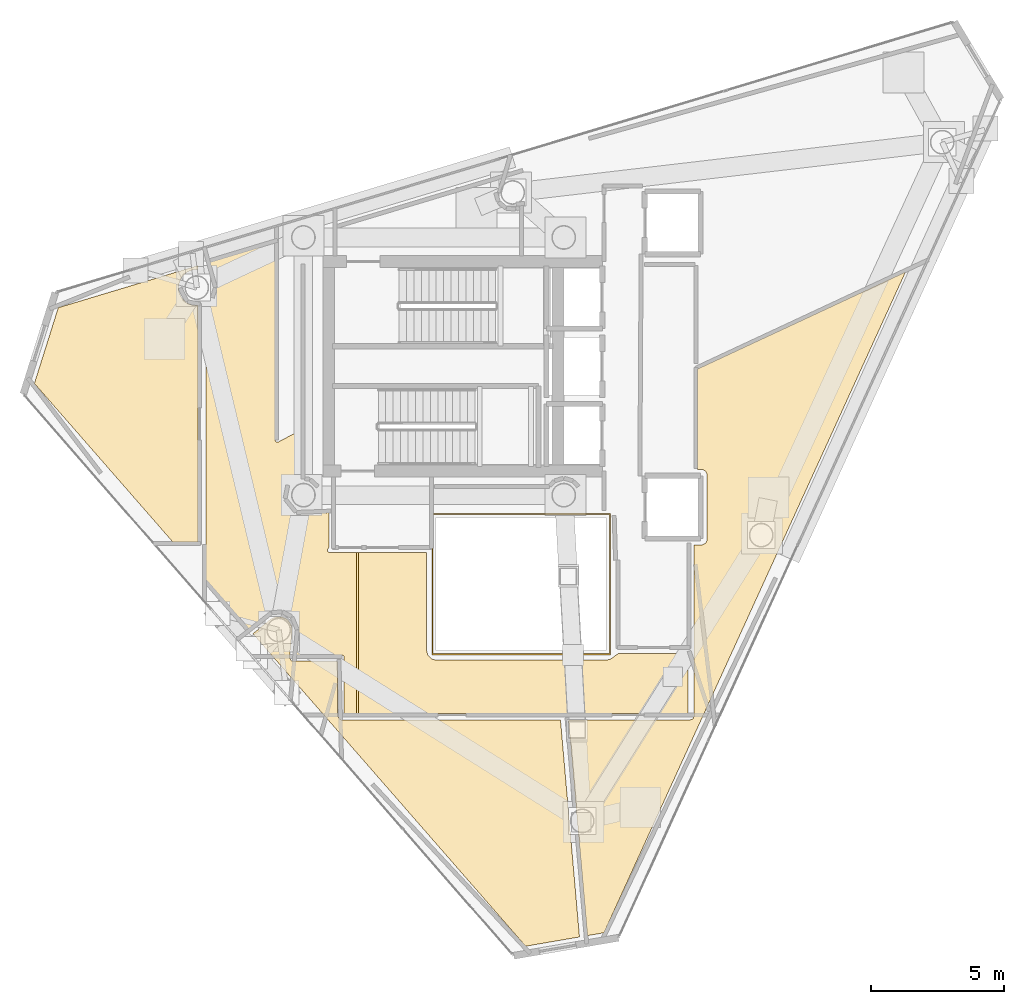
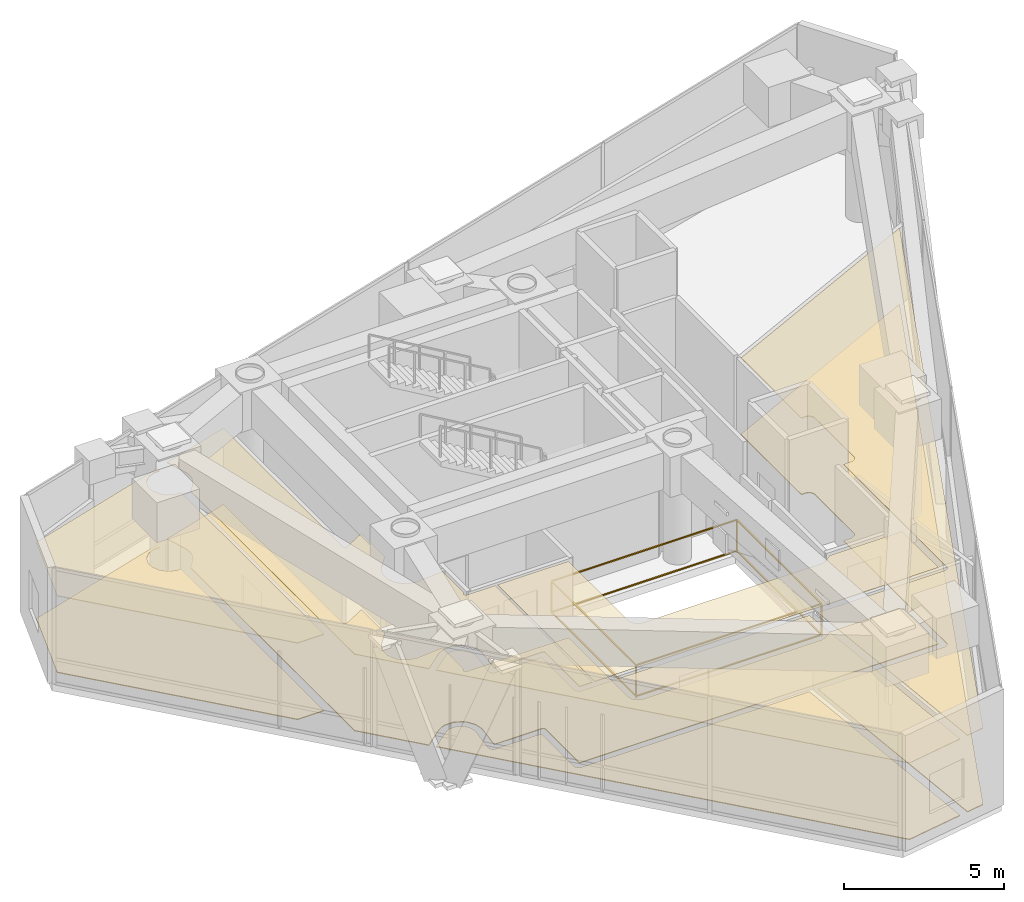
# One storey, part 19 of 20: 9 coverings, 1 railing.
"""IFC4 building model written with IfcOpenShell, lengths in metres."""

from ifc_helpers import new_model, si_unit, direction, frame, origin, origin_2d, place, context, subcontext, project, spatial, polyline, rectangle, outline, extrude, material, layer, layer_set, type_object, element, save


model = new_model("IFC4")

# Units and contexts
model_context = context("Model", 3, precision=1e-05, world=origin(), true_north=direction((0.0, 1.0)))
body_context = subcontext(model_context, "Body", "Model", "MODEL_VIEW")
ifc_project = project(units=[si_unit("LENGTHUNIT", "METRE"), si_unit("AREAUNIT", "SQUARE_METRE"), si_unit("VOLUMEUNIT", "CUBIC_METRE"), si_unit("PLANEANGLEUNIT", "RADIAN"), si_unit("MASSUNIT", "GRAM", prefix="KILO")], contexts=[model_context])

# Site, building, storey
site_placement = place(None, origin())
site = spatial("IfcSite", under=ifc_project, at=site_placement, CompositionType="ELEMENT")
building_placement = place(site_placement, origin())
building = spatial("IfcBuilding", under=site, at=building_placement, Name="Qianvela Tower", CompositionType="ELEMENT")
storey_placement = place(building_placement, frame((0.0, 0.0, 321.300048828125)))
storey = spatial("IfcBuildingStorey", under=building, at=storey_placement, Name="L83", CompositionType="ELEMENT", Elevation=321.300048828125)

# Coverings
ifc_material_1 = material(Name="Perforated Mineral Acoustic Ceiling Tile")
ifc_layer_1 = layer(ifc_material_1, 0.02490234375)
ifc_layer_set_1 = layer_set([ifc_layer_1], Name="Perforated Mineral Acoustic Ceiling Tile")
covering_type_1 = type_object("IfcCoveringType", Name="COV-CEIL-ACOUSTIC-25", PredefinedType="CEILING", material=ifc_layer_set_1)
covering_1_placement = place(storey_placement, frame((0.0, 0.0, 2.9150390625)))
element("IfcCovering", 1, at=covering_1_placement, inside=storey, type_object=covering_type_1, Name="L83 Acoustic Ceiling L83 Fire Refuge Area North", PredefinedType="CEILING", context=body_context, shape_type="SweptSolid", body=[
    extrude(outline(polyline([(19.373779296875, 30.90673828125), (24.639892578125, 32.493408203125), (24.639892578125, 32.33837890625), (24.46923828125, 32.34130859375), (24.461181640625, 32.341064453125), (24.452880859375, 32.33984375), (24.445068359375, 32.337890625), (24.4375, 32.335205078125), (24.217529296875, 32.244140625), (24.21044921875, 32.24072265625), (24.20361328125, 32.23681640625), (24.197509765625, 32.23193359375), (24.19140625, 32.226806640625), (24.023193359375, 32.05859375), (24.01806640625, 32.052490234375), (24.01318359375, 32.04638671875), (24.00927734375, 32.03955078125), (24.005859375, 32.032470703125), (23.914794921875, 31.8125), (23.912109375, 31.80517578125), (23.910400390625, 31.797607421875), (23.9091796875, 31.789794921875), (23.8974609375, 31.6708984375), (23.89697265625, 31.6630859375), (23.8974609375, 31.6552734375), (23.9091796875, 31.5361328125), (23.910400390625, 31.5283203125), (23.912109375, 31.520751953125), (23.914794921875, 31.513427734375), (24.005859375, 31.29345703125), (24.00927734375, 31.286376953125), (24.01318359375, 31.27978515625), (24.01806640625, 31.2734375), (24.023193359375, 31.267578125), (24.19140625, 31.09912109375), (24.197509765625, 31.093994140625), (24.20361328125, 31.08935546875), (24.21044921875, 31.085205078125), (24.217529296875, 31.081787109375), (24.4375, 30.99072265625), (24.445068359375, 30.988037109375), (24.452880859375, 30.986083984375), (24.461181640625, 30.985107421875), (24.46923828125, 30.984619140625), (24.639892578125, 30.987548828125), (24.639892578125, 22.080078125), (23.69091796875, 22.080078125), (18.47509765625, 28.0546875), (19.373779296875, 30.90673828125)])), origin(), (0.0, 0.0, 1.0), 0.02490234375),
])
covering_2_placement = place(storey_placement, frame((0.0, 0.0, 2.9150390625)))
element("IfcCovering", 2, at=covering_2_placement, inside=storey, type_object=covering_type_1, Name="L83 Acoustic Ceiling Bay 1 L83 Mechanical Plant Corridor", PredefinedType="CEILING", context=body_context, shape_type="SweptSolid", body=[
    extrude(outline(polyline([(27.981201171875, 24.27294921875), (27.976318359375, 24.2666015625), (27.972412109375, 24.260009765625), (27.968994140625, 24.252685546875), (27.868896484375, 24.01123046875), (27.8662109375, 24.00390625), (27.864501953125, 23.996337890625), (27.86328125, 23.988525390625), (27.86279296875, 23.980712890625), (27.86279296875, 23.71923828125), (27.86328125, 23.71142578125), (27.864501953125, 23.70361328125), (27.8662109375, 23.696044921875), (27.868896484375, 23.688720703125), (27.968994140625, 23.447265625), (27.972412109375, 23.440185546875), (27.976318359375, 23.433349609375), (27.981201171875, 23.427001953125), (28.064453125, 23.325439453125), (28.069580078125, 23.319580078125), (28.075439453125, 23.314453125), (28.081787109375, 23.309814453125), (28.29931640625, 23.16455078125), (28.305908203125, 23.160400390625), (28.31298828125, 23.156982421875), (28.3203125, 23.154296875), (28.327880859375, 23.152587890625), (28.58447265625, 23.1015625), (28.59228515625, 23.100341796875), (28.60009765625, 23.10009765625), (28.60791015625, 23.100341796875), (29.55810546875, 23.194091796875), (29.55810546875, 21.877685546875), (29.52001953125, 21.82958984375), (29.515380859375, 21.822998046875), (29.51171875, 21.81640625), (29.508544921875, 21.809326171875), (29.506103515625, 21.802001953125), (29.504150390625, 21.794189453125), (29.503173828125, 21.78662109375), (29.5029296875, 21.77880859375), (29.50341796875, 21.77099609375), (29.504638671875, 21.763427734375), (29.506591796875, 21.755859375), (29.50927734375, 21.74853515625), (29.5126953125, 21.74169921875), (29.516845703125, 21.735107421875), (29.521484375, 21.728759765625), (29.52685546875, 21.722900390625), (29.53271484375, 21.7177734375), (29.538818359375, 21.713134765625), (29.54541015625, 21.709228515625), (29.552490234375, 21.7060546875), (29.559814453125, 21.703369140625), (29.5673828125, 21.701416015625), (29.5751953125, 21.700439453125), (29.5830078125, 21.699951171875), (30.597900390625, 21.699951171875), (30.597900390625, 15.6298828125), (30.1298828125, 15.6298828125), (30.1298828125, 17.75), (30.129638671875, 17.7578125), (30.12841796875, 17.765625), (30.126708984375, 17.773193359375), (30.123779296875, 17.780517578125), (30.12060546875, 17.78759765625), (30.116455078125, 17.79443359375), (30.11181640625, 17.80078125), (30.106689453125, 17.806640625), (30.100830078125, 17.811767578125), (30.094482421875, 17.81640625), (30.087646484375, 17.820556640625), (30.08056640625, 17.823974609375), (30.0732421875, 17.82666015625), (30.065673828125, 17.82861328125), (30.057861328125, 17.82958984375), (30.050048828125, 17.830078125), (28.327392578125, 17.830078125), (28.419677734375, 18.76611328125), (28.419921875, 18.77392578125), (28.419677734375, 18.78173828125), (28.41845703125, 18.78955078125), (28.367431640625, 19.0458984375), (28.365478515625, 19.0537109375), (28.36279296875, 19.06103515625), (28.359619140625, 19.068115234375), (28.35546875, 19.07470703125), (28.210205078125, 19.292236328125), (28.20556640625, 19.298583984375), (28.2001953125, 19.30419921875), (28.194580078125, 19.3095703125), (28.093017578125, 19.392822265625), (28.086669921875, 19.397705078125), (28.079833984375, 19.401611328125), (28.07275390625, 19.405029296875), (27.831298828125, 19.5048828125), (27.823974609375, 19.5078125), (27.81640625, 19.509521484375), (27.80859375, 19.5107421875), (27.80078125, 19.510986328125), (27.539306640625, 19.510986328125), (27.531494140625, 19.5107421875), (27.523681640625, 19.509521484375), (27.51611328125, 19.5078125), (27.390380859375, 19.469482421875), (27.383056640625, 19.466796875), (27.3759765625, 19.463623046875), (27.260009765625, 19.401611328125), (27.25341796875, 19.397705078125), (27.2470703125, 19.392822265625), (26.541748046875, 18.814208984375), (24.929931640625, 20.660400390625), (24.929931640625, 30.90380859375), (25.205810546875, 31.239990234375), (25.210693359375, 31.246337890625), (25.214599609375, 31.253173828125), (25.218017578125, 31.26025390625), (25.318115234375, 31.501708984375), (25.32080078125, 31.509033203125), (25.322509765625, 31.5166015625), (25.32373046875, 31.5244140625), (25.336669921875, 31.6552734375), (25.3369140625, 31.6630859375), (25.336669921875, 31.6708984375), (25.32373046875, 31.801513671875), (25.322509765625, 31.809326171875), (25.32080078125, 31.81689453125), (25.07568359375, 32.624755859375), (27.5400390625, 33.3671875), (27.5400390625, 25.921630859375), (27.540283203125, 25.913818359375), (27.54150390625, 25.906005859375), (27.54345703125, 25.898193359375), (27.546142578125, 25.890869140625), (27.54931640625, 25.8837890625), (27.553466796875, 25.877197265625), (27.55810546875, 25.870849609375), (27.5634765625, 25.864990234375), (27.569091796875, 25.859619140625), (27.57568359375, 25.85498046875), (27.582275390625, 25.85107421875), (27.58935546875, 25.84765625), (27.5966796875, 25.844970703125), (27.6044921875, 25.843017578125), (27.6123046875, 25.841796875), (27.6201171875, 25.841552734375), (27.627685546875, 25.841796875), (27.635498046875, 25.843017578125), (27.643310546875, 25.844970703125), (27.650634765625, 25.84765625), (27.65771484375, 25.85107421875), (28.39990234375, 26.247802734375), (28.39990234375, 24.783447265625), (27.981201171875, 24.27294921875)])), origin(), (0.0, 0.0, 1.0), 0.02490234375),
])
covering_3_placement = place(storey_placement, frame((0.0, 0.0, 2.9150390625)))
element("IfcCovering", 3, at=covering_3_placement, inside=storey, type_object=covering_type_1, Name="L83 Acoustic Ceiling Bay 2 L83 Mechanical Plant Corridor", PredefinedType="CEILING", context=body_context, shape_type="SweptSolid", body=[
    extrude(outline(polyline([(33.239990234375, 21.699951171875), (33.239990234375, 18.0), (33.240478515625, 17.990234375), (33.242431640625, 17.980712890625), (33.275390625, 17.8486328125), (33.277587890625, 17.841796875), (33.2802734375, 17.8349609375), (33.283447265625, 17.82861328125), (33.287353515625, 17.822509765625), (33.29150390625, 17.81689453125), (33.29638671875, 17.811279296875), (33.411376953125, 17.696533203125), (33.41796875, 17.690673828125), (33.4248046875, 17.685791015625), (33.432373046875, 17.681396484375), (33.440185546875, 17.677978515625), (33.448486328125, 17.675537109375), (33.58056640625, 17.642333984375), (33.5869140625, 17.64111328125), (33.593505859375, 17.640380859375), (33.60009765625, 17.639892578125), (40.0, 17.639892578125), (40.006591796875, 17.640380859375), (40.012939453125, 17.64111328125), (40.019287109375, 17.642333984375), (40.1513671875, 17.675537109375), (40.15869140625, 17.677734375), (40.166015625, 17.6806640625), (40.172607421875, 17.68408203125), (40.17919921875, 17.6884765625), (40.459228515625, 17.89306640625), (43.070068359375, 17.89990234375), (43.070068359375, 15.6298828125), (30.677978515625, 15.6298828125), (30.677978515625, 21.699951171875), (33.239990234375, 21.699951171875)])), origin(), (0.0, 0.0, 1.0), 0.02490234375),
])
covering_4_placement = place(storey_placement, frame((0.0, 0.0, 2.9150390625)))
element("IfcCovering", 4, at=covering_4_placement, inside=storey, type_object=covering_type_1, Name="L83 Acoustic Ceiling L83 Fire Refuge Area 3", PredefinedType="CEILING", context=body_context, shape_type="SweptSolid", body=[
    extrude(outline(polyline([(38.578857421875, 15.389892578125), (43.14990234375, 15.389892578125), (43.15771484375, 15.390380859375), (43.16552734375, 15.3916015625), (43.173095703125, 15.393310546875), (43.1806640625, 15.39599609375), (43.2373046875, 15.41943359375), (43.244873046875, 15.423095703125), (43.251953125, 15.427490234375), (43.258544921875, 15.4326171875), (43.2646484375, 15.4384765625), (43.270263671875, 15.44482421875), (43.27490234375, 15.451904296875), (43.27880859375, 15.459228515625), (43.302001953125, 15.508056640625), (43.3046875, 15.514404296875), (43.306884765625, 15.521240234375), (43.308349609375, 15.528076171875), (43.309326171875, 15.53515625), (43.3095703125, 15.542236328125), (43.309326171875, 21.980712890625), (43.60791015625, 21.982666015625), (43.615478515625, 21.983154296875), (43.623291015625, 21.984375), (43.630859375, 21.986083984375), (43.637939453125, 21.98876953125), (43.64501953125, 21.9921875), (43.716796875, 22.030517578125), (43.723388671875, 22.034423828125), (43.729736328125, 22.039306640625), (43.735595703125, 22.04443359375), (43.74072265625, 22.05029296875), (43.74560546875, 22.056640625), (43.74951171875, 22.063232421875), (43.787841796875, 22.135009765625), (43.791259765625, 22.14208984375), (43.7939453125, 22.1494140625), (43.7958984375, 22.156982421875), (43.796875, 22.164794921875), (43.79736328125, 22.172607421875), (43.79736328125, 24.627197265625), (43.797119140625, 24.634521484375), (43.7958984375, 24.6416015625), (43.79443359375, 24.648681640625), (43.792236328125, 24.655517578125), (43.789306640625, 24.662109375), (43.785888671875, 24.66845703125), (43.7373046875, 24.749267578125), (43.732666015625, 24.75634765625), (43.727294921875, 24.762939453125), (43.72119140625, 24.768798828125), (43.71435546875, 24.77392578125), (43.70703125, 24.778564453125), (43.699462890625, 24.781982421875), (43.624267578125, 24.813232421875), (43.616943359375, 24.81591796875), (43.609375, 24.81787109375), (43.6015625, 24.81884765625), (43.59375, 24.8193359375), (43.423828125, 24.8193359375), (43.423828125, 24.8193359375), (43.426513671875, 24.826904296875), (43.428466796875, 24.83447265625), (43.4296875, 24.84228515625), (43.429931640625, 24.85009765625), (43.429931640625, 28.599609375), (51.26513671875, 32.25341796875), (39.914306640625, 7.377197265625), (39.289306640625, 7.27001953125), (38.578857421875, 15.389892578125)])), origin(), (0.0, 0.0, 1.0), 0.02490234375),
])
covering_5_placement = place(storey_placement, frame((0.0, 0.0, 2.9150390625)))
element("IfcCovering", 5, at=covering_5_placement, inside=storey, type_object=covering_type_1, Name="L83 Acoustic Ceiling L83 Air Handling and Smoke Exhaust Plant Room", PredefinedType="CEILING", context=body_context, shape_type="SweptSolid", body=[
    extrude(outline(polyline([(26.69970703125, 18.63330078125), (27.384033203125, 19.19482421875), (27.567138671875, 19.27099609375), (27.768798828125, 19.27099609375), (27.958984375, 19.1923828125), (28.02392578125, 19.13916015625), (28.13818359375, 18.968017578125), (28.178466796875, 18.76611328125), (28.079833984375, 17.765625), (28.07958984375, 17.758544921875), (28.079833984375, 17.751220703125), (28.080810546875, 17.744140625), (28.082275390625, 17.737060546875), (28.08447265625, 17.730224609375), (28.087158203125, 17.7236328125), (28.122314453125, 17.6494140625), (28.126220703125, 17.64208984375), (28.130859375, 17.63525390625), (28.135986328125, 17.629150390625), (28.141845703125, 17.623291015625), (28.148193359375, 17.618408203125), (28.155029296875, 17.614013671875), (28.162353515625, 17.6103515625), (28.169921875, 17.607421875), (28.177978515625, 17.605224609375), (28.18603515625, 17.60400390625), (28.194091796875, 17.603515625), (29.889892578125, 17.590576171875), (29.889892578125, 15.550048828125), (29.890380859375, 15.54150390625), (29.891845703125, 15.533203125), (29.89404296875, 15.52490234375), (29.897216796875, 15.51708984375), (29.90087890625, 15.509521484375), (29.90576171875, 15.502197265625), (29.96240234375, 15.42578125), (29.9677734375, 15.41943359375), (29.9736328125, 15.41357421875), (29.980224609375, 15.408447265625), (29.987060546875, 15.404052734375), (29.994384765625, 15.400146484375), (30.002197265625, 15.397216796875), (30.01025390625, 15.395263671875), (30.0185546875, 15.393798828125), (30.026611328125, 15.393310546875), (38.277587890625, 15.389892578125), (38.992431640625, 7.21923828125), (36.96728515625, 6.871826171875), (26.69970703125, 18.63330078125)])), origin(), (0.0, 0.0, 1.0), 0.02490234375),
])
ifc_material_2 = material(Name="Honed Stone Terrazzo Flooring", Category="masonry")
ifc_layer_2 = layer(ifc_material_2, 0.030029296875)
ifc_layer_set_2 = layer_set([ifc_layer_2], Name="Honed Stone Terrazzo Flooring")
covering_type_2 = type_object("IfcCoveringType", Name="COV-FLOOR-TERRAZZO-30", PredefinedType="FLOORING", material=ifc_layer_set_2)
covering_6_placement = place(storey_placement, origin())
element("IfcCovering", 6, at=covering_6_placement, inside=storey, type_object=covering_type_2, Name="L83 Finish Flooring L83 Fire Refuge Area North", PredefinedType="FLOORING", context=body_context, shape_type="SweptSolid", body=[
    extrude(outline(polyline([(19.373779296875, 30.90673828125), (24.639892578125, 32.493408203125), (24.639892578125, 32.33837890625), (24.46923828125, 32.34130859375), (24.461181640625, 32.341064453125), (24.452880859375, 32.33984375), (24.445068359375, 32.337890625), (24.4375, 32.335205078125), (24.217529296875, 32.244140625), (24.21044921875, 32.24072265625), (24.20361328125, 32.23681640625), (24.197509765625, 32.23193359375), (24.19140625, 32.226806640625), (24.023193359375, 32.05859375), (24.01806640625, 32.052490234375), (24.01318359375, 32.04638671875), (24.00927734375, 32.03955078125), (24.005859375, 32.032470703125), (23.914794921875, 31.8125), (23.912109375, 31.80517578125), (23.910400390625, 31.797607421875), (23.9091796875, 31.789794921875), (23.8974609375, 31.6708984375), (23.89697265625, 31.6630859375), (23.8974609375, 31.6552734375), (23.9091796875, 31.5361328125), (23.910400390625, 31.5283203125), (23.912109375, 31.520751953125), (23.914794921875, 31.513427734375), (24.005859375, 31.29345703125), (24.00927734375, 31.286376953125), (24.01318359375, 31.27978515625), (24.01806640625, 31.2734375), (24.023193359375, 31.267578125), (24.19140625, 31.09912109375), (24.197509765625, 31.093994140625), (24.20361328125, 31.08935546875), (24.21044921875, 31.085205078125), (24.217529296875, 31.081787109375), (24.4375, 30.99072265625), (24.445068359375, 30.988037109375), (24.452880859375, 30.986083984375), (24.461181640625, 30.985107421875), (24.46923828125, 30.984619140625), (24.639892578125, 30.987548828125), (24.639892578125, 22.080078125), (23.69091796875, 22.080078125), (18.47509765625, 28.0546875), (19.373779296875, 30.90673828125)])), origin(), (0.0, 0.0, 1.0), 0.030029296875),
])
covering_7_placement = place(storey_placement, origin())
element("IfcCovering", 7, at=covering_7_placement, inside=storey, type_object=covering_type_2, Name="L83 Finish Flooring L83 Mechanical Plant Corridor", PredefinedType="FLOORING", context=body_context, shape_type="SweptSolid", body=[
    extrude(outline(polyline([(28.39990234375, 24.783447265625), (27.981201171875, 24.27294921875), (27.976318359375, 24.2666015625), (27.972412109375, 24.260009765625), (27.968994140625, 24.252685546875), (27.868896484375, 24.01123046875), (27.8662109375, 24.00390625), (27.864501953125, 23.996337890625), (27.86328125, 23.988525390625), (27.86279296875, 23.980712890625), (27.86279296875, 23.71923828125), (27.86328125, 23.71142578125), (27.864501953125, 23.70361328125), (27.8662109375, 23.696044921875), (27.868896484375, 23.688720703125), (27.968994140625, 23.447265625), (27.972412109375, 23.440185546875), (27.976318359375, 23.433349609375), (27.981201171875, 23.427001953125), (28.064453125, 23.325439453125), (28.069580078125, 23.319580078125), (28.075439453125, 23.314453125), (28.081787109375, 23.309814453125), (28.29931640625, 23.16455078125), (28.305908203125, 23.160400390625), (28.31298828125, 23.156982421875), (28.3203125, 23.154296875), (28.327880859375, 23.152587890625), (28.58447265625, 23.1015625), (28.59228515625, 23.100341796875), (28.60009765625, 23.10009765625), (28.60791015625, 23.100341796875), (29.55810546875, 23.194091796875), (29.55810546875, 21.877685546875), (29.52001953125, 21.82958984375), (29.515380859375, 21.822998046875), (29.51171875, 21.81640625), (29.508544921875, 21.809326171875), (29.506103515625, 21.802001953125), (29.504150390625, 21.794189453125), (29.503173828125, 21.78662109375), (29.5029296875, 21.77880859375), (29.50341796875, 21.77099609375), (29.504638671875, 21.763427734375), (29.506591796875, 21.755859375), (29.50927734375, 21.74853515625), (29.5126953125, 21.74169921875), (29.516845703125, 21.735107421875), (29.521484375, 21.728759765625), (29.52685546875, 21.722900390625), (29.53271484375, 21.7177734375), (29.538818359375, 21.713134765625), (29.54541015625, 21.709228515625), (29.552490234375, 21.7060546875), (29.559814453125, 21.703369140625), (29.5673828125, 21.701416015625), (29.5751953125, 21.700439453125), (29.5830078125, 21.699951171875), (33.239990234375, 21.699951171875), (33.239990234375, 18.0), (33.240478515625, 17.990234375), (33.242431640625, 17.980712890625), (33.275390625, 17.8486328125), (33.277587890625, 17.841796875), (33.2802734375, 17.8349609375), (33.283447265625, 17.82861328125), (33.287353515625, 17.822509765625), (33.29150390625, 17.81689453125), (33.29638671875, 17.811279296875), (33.411376953125, 17.696533203125), (33.41796875, 17.690673828125), (33.4248046875, 17.685791015625), (33.432373046875, 17.681396484375), (33.440185546875, 17.677978515625), (33.448486328125, 17.675537109375), (33.58056640625, 17.642333984375), (33.5869140625, 17.64111328125), (33.593505859375, 17.640380859375), (33.60009765625, 17.639892578125), (40.0, 17.639892578125), (40.006591796875, 17.640380859375), (40.012939453125, 17.64111328125), (40.019287109375, 17.642333984375), (40.1513671875, 17.675537109375), (40.15869140625, 17.677734375), (40.166015625, 17.6806640625), (40.172607421875, 17.68408203125), (40.17919921875, 17.6884765625), (40.459228515625, 17.89306640625), (43.070068359375, 17.89990234375), (43.070068359375, 15.6298828125), (30.1298828125, 15.6298828125), (30.1298828125, 17.75), (30.129638671875, 17.7578125), (30.12841796875, 17.765625), (30.126708984375, 17.773193359375), (30.123779296875, 17.780517578125), (30.12060546875, 17.78759765625), (30.116455078125, 17.79443359375), (30.11181640625, 17.80078125), (30.106689453125, 17.806640625), (30.100830078125, 17.811767578125), (30.094482421875, 17.81640625), (30.087646484375, 17.820556640625), (30.08056640625, 17.823974609375), (30.0732421875, 17.82666015625), (30.065673828125, 17.82861328125), (30.057861328125, 17.82958984375), (30.050048828125, 17.830078125), (28.327392578125, 17.830078125), (28.419677734375, 18.76611328125), (28.419921875, 18.77392578125), (28.419677734375, 18.78173828125), (28.41845703125, 18.78955078125), (28.367431640625, 19.0458984375), (28.365478515625, 19.0537109375), (28.36279296875, 19.06103515625), (28.359619140625, 19.068115234375), (28.35546875, 19.07470703125), (28.210205078125, 19.292236328125), (28.20556640625, 19.298583984375), (28.2001953125, 19.30419921875), (28.194580078125, 19.3095703125), (28.093017578125, 19.392822265625), (28.086669921875, 19.397705078125), (28.079833984375, 19.401611328125), (28.07275390625, 19.405029296875), (27.831298828125, 19.5048828125), (27.823974609375, 19.5078125), (27.81640625, 19.509521484375), (27.80859375, 19.5107421875), (27.80078125, 19.510986328125), (27.539306640625, 19.510986328125), (27.531494140625, 19.5107421875), (27.523681640625, 19.509521484375), (27.51611328125, 19.5078125), (27.390380859375, 19.469482421875), (27.383056640625, 19.466796875), (27.3759765625, 19.463623046875), (27.260009765625, 19.401611328125), (27.25341796875, 19.397705078125), (27.2470703125, 19.392822265625), (26.541748046875, 18.814208984375), (24.929931640625, 20.660400390625), (24.929931640625, 30.90380859375), (25.205810546875, 31.239990234375), (25.210693359375, 31.246337890625), (25.214599609375, 31.253173828125), (25.218017578125, 31.26025390625), (25.318115234375, 31.501708984375), (25.32080078125, 31.509033203125), (25.322509765625, 31.5166015625), (25.32373046875, 31.5244140625), (25.336669921875, 31.6552734375), (25.3369140625, 31.6630859375), (25.336669921875, 31.6708984375), (25.32373046875, 31.801513671875), (25.322509765625, 31.809326171875), (25.32080078125, 31.81689453125), (25.07568359375, 32.624755859375), (27.5400390625, 33.3671875), (27.5400390625, 25.921630859375), (27.540283203125, 25.913818359375), (27.54150390625, 25.906005859375), (27.54345703125, 25.898193359375), (27.546142578125, 25.890869140625), (27.54931640625, 25.8837890625), (27.553466796875, 25.877197265625), (27.55810546875, 25.870849609375), (27.5634765625, 25.864990234375), (27.569091796875, 25.859619140625), (27.57568359375, 25.85498046875), (27.582275390625, 25.85107421875), (27.58935546875, 25.84765625), (27.5966796875, 25.844970703125), (27.6044921875, 25.843017578125), (27.6123046875, 25.841796875), (27.6201171875, 25.841552734375), (27.627685546875, 25.841796875), (27.635498046875, 25.843017578125), (27.643310546875, 25.844970703125), (27.650634765625, 25.84765625), (27.65771484375, 25.85107421875), (28.39990234375, 26.247802734375), (28.39990234375, 24.783447265625)])), origin(), (0.0, 0.0, 1.0), 0.030029296875),
])
covering_8_placement = place(storey_placement, origin())
element("IfcCovering", 8, at=covering_8_placement, inside=storey, type_object=covering_type_2, Name="L83 Finish Flooring L83 Fire Refuge Area 3", PredefinedType="FLOORING", context=body_context, shape_type="SweptSolid", body=[
    extrude(outline(polyline([(38.578857421875, 15.389892578125), (43.14990234375, 15.389892578125), (43.15771484375, 15.390380859375), (43.16552734375, 15.3916015625), (43.173095703125, 15.393310546875), (43.1806640625, 15.39599609375), (43.2373046875, 15.41943359375), (43.244873046875, 15.423095703125), (43.251953125, 15.427490234375), (43.258544921875, 15.4326171875), (43.2646484375, 15.4384765625), (43.270263671875, 15.44482421875), (43.27490234375, 15.451904296875), (43.27880859375, 15.459228515625), (43.302001953125, 15.508056640625), (43.3046875, 15.514404296875), (43.306884765625, 15.521240234375), (43.308349609375, 15.528076171875), (43.309326171875, 15.53515625), (43.3095703125, 15.542236328125), (43.309326171875, 21.980712890625), (43.60791015625, 21.982666015625), (43.615478515625, 21.983154296875), (43.623291015625, 21.984375), (43.630859375, 21.986083984375), (43.637939453125, 21.98876953125), (43.64501953125, 21.9921875), (43.716796875, 22.030517578125), (43.723388671875, 22.034423828125), (43.729736328125, 22.039306640625), (43.735595703125, 22.04443359375), (43.74072265625, 22.05029296875), (43.74560546875, 22.056640625), (43.74951171875, 22.063232421875), (43.787841796875, 22.135009765625), (43.791259765625, 22.14208984375), (43.7939453125, 22.1494140625), (43.7958984375, 22.156982421875), (43.796875, 22.164794921875), (43.79736328125, 22.172607421875), (43.79736328125, 24.627197265625), (43.797119140625, 24.634521484375), (43.7958984375, 24.6416015625), (43.79443359375, 24.648681640625), (43.792236328125, 24.655517578125), (43.789306640625, 24.662109375), (43.785888671875, 24.66845703125), (43.7373046875, 24.749267578125), (43.732666015625, 24.75634765625), (43.727294921875, 24.762939453125), (43.72119140625, 24.768798828125), (43.71435546875, 24.77392578125), (43.70703125, 24.778564453125), (43.699462890625, 24.781982421875), (43.624267578125, 24.813232421875), (43.616943359375, 24.81591796875), (43.609375, 24.81787109375), (43.6015625, 24.81884765625), (43.59375, 24.8193359375), (43.423828125, 24.8193359375), (43.423828125, 24.8193359375), (43.426513671875, 24.826904296875), (43.428466796875, 24.83447265625), (43.4296875, 24.84228515625), (43.429931640625, 24.85009765625), (43.429931640625, 28.599609375), (51.26513671875, 32.25341796875), (39.914306640625, 7.377197265625), (39.289306640625, 7.27001953125), (38.578857421875, 15.389892578125)])), origin(), (0.0, 0.0, 1.0), 0.030029296875),
])
covering_9_placement = place(storey_placement, origin())
element("IfcCovering", 9, at=covering_9_placement, inside=storey, type_object=covering_type_2, Name="L83 Finish Flooring L83 Air Handling and Smoke Exhaust Plant Room", PredefinedType="FLOORING", context=body_context, shape_type="SweptSolid", body=[
    extrude(outline(polyline([(26.69970703125, 18.63330078125), (27.384033203125, 19.19482421875), (27.567138671875, 19.27099609375), (27.768798828125, 19.27099609375), (27.958984375, 19.1923828125), (28.02392578125, 19.13916015625), (28.13818359375, 18.968017578125), (28.178466796875, 18.76611328125), (28.079833984375, 17.765625), (28.07958984375, 17.758544921875), (28.079833984375, 17.751220703125), (28.080810546875, 17.744140625), (28.082275390625, 17.737060546875), (28.08447265625, 17.730224609375), (28.087158203125, 17.7236328125), (28.122314453125, 17.6494140625), (28.126220703125, 17.64208984375), (28.130859375, 17.63525390625), (28.135986328125, 17.629150390625), (28.141845703125, 17.623291015625), (28.148193359375, 17.618408203125), (28.155029296875, 17.614013671875), (28.162353515625, 17.6103515625), (28.169921875, 17.607421875), (28.177978515625, 17.605224609375), (28.18603515625, 17.60400390625), (28.194091796875, 17.603515625), (29.889892578125, 17.590576171875), (29.889892578125, 15.550048828125), (29.890380859375, 15.54150390625), (29.891845703125, 15.533203125), (29.89404296875, 15.52490234375), (29.897216796875, 15.51708984375), (29.90087890625, 15.509521484375), (29.90576171875, 15.502197265625), (29.96240234375, 15.42578125), (29.9677734375, 15.41943359375), (29.9736328125, 15.41357421875), (29.980224609375, 15.408447265625), (29.987060546875, 15.404052734375), (29.994384765625, 15.400146484375), (30.002197265625, 15.397216796875), (30.01025390625, 15.395263671875), (30.0185546875, 15.393798828125), (30.026611328125, 15.393310546875), (38.277587890625, 15.389892578125), (38.992431640625, 7.21923828125), (36.96728515625, 6.871826171875), (26.69970703125, 18.63330078125)])), origin(), (0.0, 0.0, 1.0), 0.030029296875),
])

# Railing
ifc_material_3 = material(Name="Laminated Safety Glass and Stainless Steel 316", Category="steel")
railing_type = type_object("IfcRailingType", Name="RL-ATRIUM-GUARD-1250", PredefinedType="GUARDRAIL", material=ifc_material_3)
railing_placement = place(storey_placement, frame((33.4599609375, 17.860107421875, 0.0)))
element("IfcRailing", 10, at=railing_placement, inside=storey, type_object=railing_type, Name="L83 Atrium Edge Guardrail 1", PredefinedType="GUARDRAIL", context=body_context, shape_type="SweptSolid", body=[
    extrude(rectangle(XDim=0.050048828125, YDim=0.0400390625, at=origin_2d()), frame((0.0, 0.0, 1.22998046875), z_axis=(0.0, 1.0, 0.0), x_axis=(-1.0, 0.0, 0.0)), (0.0, 0.0, 1.0), 5.27978515625),
    extrude(rectangle(XDim=0.050048828125, YDim=0.0400390625, at=origin_2d()), frame((0.0, 0.0, 0.050048828125), z_axis=(0.0, 1.0, 0.0), x_axis=(-1.0, 0.0, 0.0)), (0.0, 0.0, 1.0), 5.27978515625),
    extrude(rectangle(XDim=0.050048828125, YDim=0.0400390625, at=origin_2d()), frame((0.0, 5.27978515625, 1.22998046875), z_axis=(1.0, 0.0, 0.0), x_axis=(0.0, 1.0, 0.0)), (0.0, 0.0, 1.0), 6.679931640625),
    extrude(rectangle(XDim=0.050048828125, YDim=0.0400390625, at=origin_2d()), frame((0.0, 5.27978515625, 0.050048828125), z_axis=(1.0, 0.0, 0.0), x_axis=(0.0, 1.0, 0.0)), (0.0, 0.0, 1.0), 6.679931640625),
    extrude(rectangle(XDim=0.050048828125, YDim=0.0400390625, at=origin_2d()), frame((6.679931640625, 5.27978515625, 1.22998046875), z_axis=(0.0, -1.0, 0.0), x_axis=(1.0, 0.0, 0.0)), (0.0, 0.0, 1.0), 5.27978515625),
    extrude(rectangle(XDim=0.050048828125, YDim=0.0400390625, at=origin_2d()), frame((6.679931640625, 5.27978515625, 0.050048828125), z_axis=(0.0, -1.0, 0.0), x_axis=(1.0, 0.0, 0.0)), (0.0, 0.0, 1.0), 5.27978515625),
    extrude(rectangle(XDim=0.050048828125, YDim=0.0400390625, at=origin_2d()), frame((6.679931640625, 0.0, 1.22998046875), z_axis=(-1.0, 0.0, 0.0), x_axis=(0.0, -1.0, 0.0)), (0.0, 0.0, 1.0), 6.679931640625),
    extrude(rectangle(XDim=0.050048828125, YDim=0.0400390625, at=origin_2d()), frame((6.679931640625, 0.0, 0.050048828125), z_axis=(-1.0, 0.0, 0.0), x_axis=(0.0, -1.0, 0.0)), (0.0, 0.0, 1.0), 6.679931640625),
    extrude(rectangle(XDim=0.050048828125, YDim=0.050048828125, at=origin_2d()), origin(), (0.0, 0.0, 1.0), 1.2099609375),
    extrude(rectangle(XDim=0.050048828125, YDim=0.050048828125, at=origin_2d()), frame((0.0, 5.27978515625, 0.0)), (0.0, 0.0, 1.0), 1.2099609375),
    extrude(rectangle(XDim=0.050048828125, YDim=0.050048828125, at=origin_2d()), frame((6.679931640625, 5.27978515625, 0.0)), (0.0, 0.0, 1.0), 1.2099609375),
    extrude(rectangle(XDim=0.050048828125, YDim=0.050048828125, at=origin_2d()), frame((6.679931640625, 0.0, 0.0)), (0.0, 0.0, 1.0), 1.2099609375),
])

save(model, "model.ifc")
